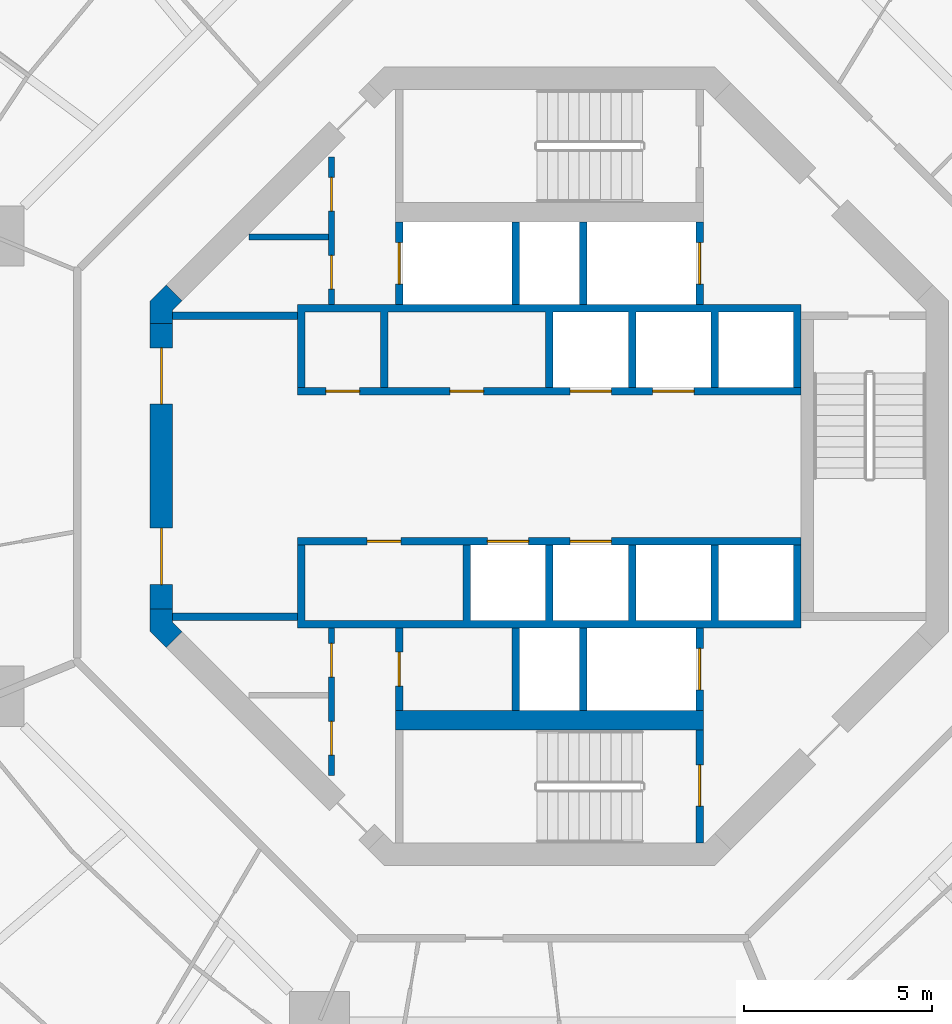
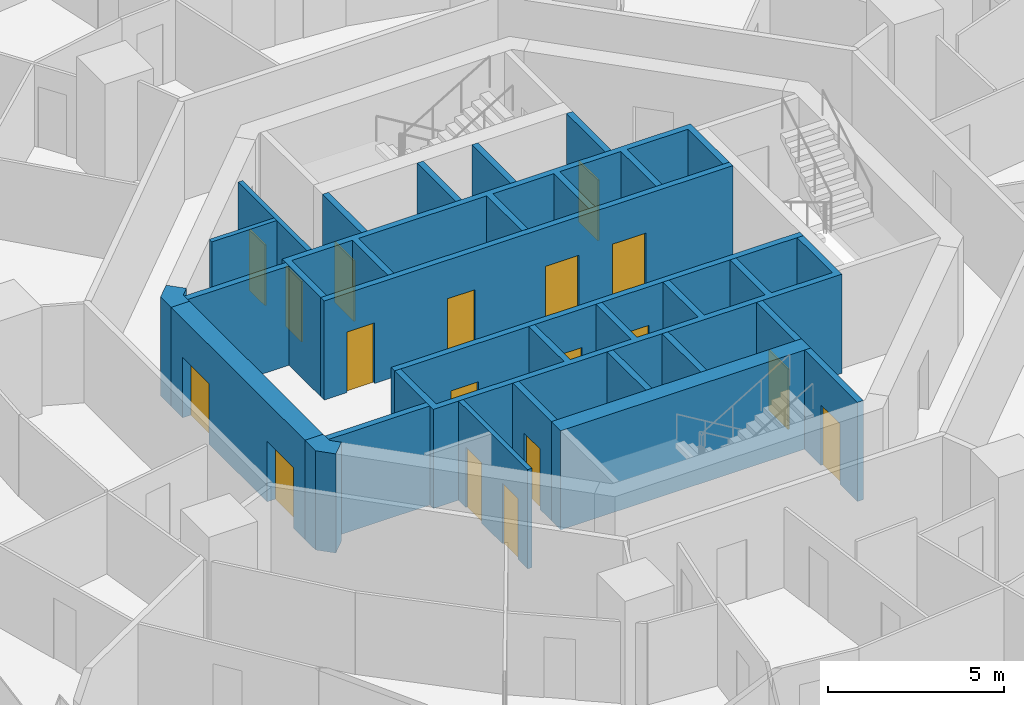
# One storey, part 11 of 18: 22 walls, 18 doors, 18 openings.
"""IFC4 building model written with IfcOpenShell, lengths in metres."""

from ifc_helpers import new_model, si_unit, direction, frame, frame_2d, origin, place, context, subcontext, project, spatial, polyline, rectangle, outline, extrude, material, layer, layer_set, type_object, element, fill, save


model = new_model("IFC4")

# Units and contexts
model_context = context("Model", 3, precision=1e-05, world=origin(), true_north=direction((0.0, 1.0)))
body_context = subcontext(model_context, "Body", "Model", "MODEL_VIEW")
ifc_project = project(units=[si_unit("LENGTHUNIT", "METRE"), si_unit("AREAUNIT", "SQUARE_METRE"), si_unit("VOLUMEUNIT", "CUBIC_METRE"), si_unit("PLANEANGLEUNIT", "RADIAN"), si_unit("MASSUNIT", "GRAM", prefix="KILO")], contexts=[model_context])

# Site, building, storey
site_placement = place(None, origin())
site = spatial("IfcSite", under=ifc_project, at=site_placement, CompositionType="ELEMENT")
building_placement = place(site_placement, origin())
building = spatial("IfcBuilding", under=site, at=building_placement, Name="Nagisa Residences", CompositionType="ELEMENT")
storey_placement = place(building_placement, frame((0.0, 0.0, 245.5)))
storey = spatial("IfcBuildingStorey", under=building, at=storey_placement, Name="L62", CompositionType="ELEMENT", Elevation=245.5)

# Wall, openings, doors
ifc_material_1 = material(Name="Gypsum board on steel studs", Category="steel")
ifc_layer_1 = layer(ifc_material_1, 0.14990234375)
ifc_layer_set_1 = layer_set([ifc_layer_1], Name="Core partition 150")
wall_type_1 = type_object("IfcWallType", Name="Core partition 150", PredefinedType="PARTITIONING", material=ifc_layer_set_1)
wall_1_placement = place(storey_placement, frame((-5.800048828125, 4.300048828125, 0.0), z_axis=(0.0, 0.0, 1.0), x_axis=(0.0, 1.0, 0.0)))
wall_1 = element("IfcWall", 1, at=wall_1_placement, inside=storey, type_object=wall_type_1, Name="wall:L62:NWp", PredefinedType="PARTITIONING", context=body_context, shape_type="SweptSolid", body=[
    extrude(rectangle(XDim=3.927001953125, YDim=0.14990234375, at=frame_2d((1.96337890625, 0.0))), origin(), (0.0, 0.0, 1.0), 3.43994140625),
])
opening_1_placement = place(wall_1_placement, frame((0.41259765625, 0.0, 0.0)))
opening_1 = element("IfcOpeningElement", 2, at=opening_1_placement, cuts=wall_1, Name="Opening L62-C11", PredefinedType="OPENING", context=body_context, shape_type="SweptSolid", body=[
    extrude(rectangle(XDim=0.89990234375, YDim=2.10009765625, at=frame_2d((0.449951171875, 1.050048828125))), frame((0.0, 0.0849609375, 0.0), z_axis=(0.0, -1.0, 0.0), x_axis=(1.0, 0.0, 0.0)), (0.0, 0.0, 1.0), 0.169921875),
])
opening_2_placement = place(wall_1_placement, frame((2.488525390625, 0.0, 0.0)))
opening_2 = element("IfcOpeningElement", 3, at=opening_2_placement, cuts=wall_1, Name="Opening L62-C12", PredefinedType="OPENING", context=body_context, shape_type="SweptSolid", body=[
    extrude(rectangle(XDim=0.89990234375, YDim=2.10009765625, at=frame_2d((0.449951171875, 1.050048828125))), frame((0.0, 0.0849609375, 0.0), z_axis=(0.0, -1.0, 0.0), x_axis=(1.0, 0.0, 0.0)), (0.0, 0.0, 1.0), 0.169921875),
])
ifc_material_2 = material(Name="Steel fire door", Category="steel")
door_type_1 = type_object("IfcDoorType", Name="Fire door EI30 900x2100 single swing", OperationType="NOTDEFINED", PredefinedType="DOOR", material=ifc_material_2)
door_1_placement = place(opening_1_placement, origin())
door_1 = element("IfcDoor", 4, at=door_1_placement, inside=storey, type_object=door_type_1, Name="Electrical room door L62", OperationType="SINGLE_SWING_LEFT", OverallHeight=2.10009765625, OverallWidth=0.89990234375, PredefinedType="DOOR", context=body_context, shape_type="SweptSolid", body=[
    extrude(rectangle(XDim=0.89990234375, YDim=2.10009765625, at=frame_2d((0.449951171875, 1.050048828125))), frame((0.0, 0.02490234375, 0.0), z_axis=(0.0, -1.0, 0.0), x_axis=(1.0, 0.0, 0.0)), (0.0, 0.0, 1.0), 0.050048828125),
])
fill(opening_1, door_1)
door_2_placement = place(opening_2_placement, origin())
door_2 = element("IfcDoor", 5, at=door_2_placement, inside=storey, type_object=door_type_1, Name="Telecom room door L62", OperationType="SINGLE_SWING_LEFT", OverallHeight=2.10009765625, OverallWidth=0.89990234375, PredefinedType="DOOR", context=body_context, shape_type="SweptSolid", body=[
    extrude(rectangle(XDim=0.89990234375, YDim=2.10009765625, at=frame_2d((0.449951171875, 1.050048828125))), frame((0.0, 0.02490234375, 0.0), z_axis=(0.0, -1.0, 0.0), x_axis=(1.0, 0.0, 0.0)), (0.0, 0.0, 1.0), 0.050048828125),
])
fill(opening_2, door_2)

wall_2_placement = place(storey_placement, frame((-5.800048828125, -8.22705078125, 0.0), z_axis=(0.0, 0.0, 1.0), x_axis=(0.0, 1.0, 0.0)))
wall_2 = element("IfcWall", 6, at=wall_2_placement, inside=storey, type_object=wall_type_1, Name="wall:L62:SWp", PredefinedType="PARTITIONING", context=body_context, shape_type="SweptSolid", body=[
    extrude(rectangle(XDim=3.927001953125, YDim=0.14990234375, at=frame_2d((1.96337890625, 0.0))), origin(), (0.0, 0.0, 1.0), 3.43994140625),
])
opening_3_placement = place(wall_2_placement, frame((2.614501953125, 0.0, 0.0)))
opening_3 = element("IfcOpeningElement", 7, at=opening_3_placement, cuts=wall_2, Name="Opening L62-C13", PredefinedType="OPENING", context=body_context, shape_type="SweptSolid", body=[
    extrude(rectangle(XDim=0.89990234375, YDim=2.10009765625, at=frame_2d((0.449951171875, 1.050048828125))), frame((0.0, 0.0849609375, 0.0), z_axis=(0.0, -1.0, 0.0), x_axis=(1.0, 0.0, 0.0)), (0.0, 0.0, 1.0), 0.169921875),
])
opening_4_placement = place(wall_2_placement, frame((0.53857421875, 0.0, 0.0)))
opening_4 = element("IfcOpeningElement", 8, at=opening_4_placement, cuts=wall_2, Name="Opening L62-C14", PredefinedType="OPENING", context=body_context, shape_type="SweptSolid", body=[
    extrude(rectangle(XDim=0.89990234375, YDim=2.10009765625, at=frame_2d((0.449951171875, 1.050048828125))), frame((0.0, 0.0849609375, 0.0), z_axis=(0.0, -1.0, 0.0), x_axis=(1.0, 0.0, 0.0)), (0.0, 0.0, 1.0), 0.169921875),
])
door_3_placement = place(opening_3_placement, origin())
door_3 = element("IfcDoor", 9, at=door_3_placement, inside=storey, type_object=door_type_1, Name="Refuse room door L62", OperationType="SINGLE_SWING_LEFT", OverallHeight=2.10009765625, OverallWidth=0.89990234375, PredefinedType="DOOR", context=body_context, shape_type="SweptSolid", body=[
    extrude(rectangle(XDim=0.89990234375, YDim=2.10009765625, at=frame_2d((0.449951171875, 1.050048828125))), frame((0.0, 0.02490234375, 0.0), z_axis=(0.0, -1.0, 0.0), x_axis=(1.0, 0.0, 0.0)), (0.0, 0.0, 1.0), 0.050048828125),
])
fill(opening_3, door_3)
door_4_placement = place(opening_4_placement, origin())
door_4 = element("IfcDoor", 10, at=door_4_placement, inside=storey, type_object=door_type_1, Name="Hose reel room door L62", OperationType="SINGLE_SWING_LEFT", OverallHeight=2.10009765625, OverallWidth=0.89990234375, PredefinedType="DOOR", context=body_context, shape_type="SweptSolid", body=[
    extrude(rectangle(XDim=0.89990234375, YDim=2.10009765625, at=frame_2d((0.449951171875, 1.050048828125))), frame((0.0, 0.02490234375, 0.0), z_axis=(0.0, -1.0, 0.0), x_axis=(1.0, 0.0, 0.0)), (0.0, 0.0, 1.0), 0.050048828125),
])
fill(opening_4, door_4)

# Walls
wall_3_placement = place(storey_placement, frame((-8.0009765625, 6.10009765625, 0.0), z_axis=(0.0, 0.0, 1.0), x_axis=(1.0, 0.0, 0.0)))
element("IfcWall", 11, at=wall_3_placement, inside=storey, type_object=wall_type_1, Name="wall:L62:NWq", PredefinedType="PARTITIONING", context=body_context, shape_type="SweptSolid", body=[
    extrude(rectangle(XDim=2.1259765625, YDim=0.14990234375, at=frame_2d((1.06298828125, 0.0))), origin(), (0.0, 0.0, 1.0), 3.43994140625),
])
ifc_material_3 = material(Name="Gypsum board on steel studs", Category="steel")
ifc_layer_2 = layer(ifc_material_3, 0.199951171875)
ifc_layer_set_2 = layer_set([ifc_layer_2], Name="Core partition 200")
wall_type_2 = type_object("IfcWallType", Name="Core partition 200", PredefinedType="PARTITIONING", material=ifc_layer_set_2)
for number, where, z_axis, x_axis, name in (
    (12, (-10.024658203125, -4.0, 0.0), (0.0, 0.0, 1.0), (1.0, 0.0, 0.0), "wall:L62:PSW"),
    (13, (-10.024658203125, 4.0, 0.0), (0.0, 0.0, 1.0), (1.0, 0.0, 0.0), "wall:L62:PNW"),
):
    element("IfcWall", number, at=place(storey_placement, frame(where, z_axis=z_axis, x_axis=x_axis)), inside=storey, type_object=wall_type_2, Name=name, PredefinedType="PARTITIONING", context=body_context, shape_type="SweptSolid", body=[
        extrude(rectangle(XDim=3.32470703125, YDim=0.199951171875, at=frame_2d((1.662353515625, 0.0))), origin(), (0.0, 0.0, 1.0), 3.43994140625),
    ])

# Wall, openings, doors
ifc_material_4 = material(Name="Concrete C60", Category="concrete")
ifc_layer_3 = layer(ifc_material_4, 0.60009765625)
ifc_layer_set_3 = layer_set([ifc_layer_3], Name="Core shear wall 600")
wall_type_3 = type_object("IfcWallType", Name="Core shear wall 600", PredefinedType="SHEAR", material=ifc_layer_set_3)
wall_4_placement = place(storey_placement, frame((-10.32470703125, 3.80078125, 0.0), z_axis=(0.0, 0.0, 1.0), x_axis=(0.0, -1.0, 0.0)))
wall_4 = element("IfcWall", 14, at=wall_4_placement, inside=storey, type_object=wall_type_3, Name="wall:L62:core:flat4", PredefinedType="SHEAR", context=body_context, shape_type="SweptSolid", body=[
    extrude(rectangle(XDim=7.6015625, YDim=0.60009765625, at=frame_2d((3.80078125, 0.0))), origin(), (0.0, 0.0, 1.0), 3.43994140625),
])
opening_5_placement = place(wall_4_placement, frame((0.65087890625, 0.0, 0.0)))
opening_5 = element("IfcOpeningElement", 15, at=opening_5_placement, cuts=wall_4, Name="Opening L62-C21", PredefinedType="OPENING", context=body_context, shape_type="SweptSolid", body=[
    extrude(rectangle(XDim=1.5, YDim=2.10009765625, at=frame_2d((0.75, 1.050048828125))), frame((0.0, 0.31005859375, 0.0), z_axis=(0.0, -1.0, 0.0), x_axis=(1.0, 0.0, 0.0)), (0.0, 0.0, 1.0), 0.6201171875),
])
opening_6_placement = place(wall_4_placement, frame((5.450927734375, 0.0, 0.0)))
opening_6 = element("IfcOpeningElement", 16, at=opening_6_placement, cuts=wall_4, Name="Opening L62-C22", PredefinedType="OPENING", context=body_context, shape_type="SweptSolid", body=[
    extrude(rectangle(XDim=1.5, YDim=2.10009765625, at=frame_2d((0.75, 1.050048828125))), frame((0.0, 0.31005859375, 0.0), z_axis=(0.0, -1.0, 0.0), x_axis=(1.0, 0.0, 0.0)), (0.0, 0.0, 1.0), 0.6201171875),
])
ifc_material_5 = material(Name="Steel fire door", Category="steel")
door_type_2 = type_object("IfcDoorType", Name="Fire door EI60 1500x2100 double door single swing", OperationType="DOUBLE_DOOR_SINGLE_SWING", PredefinedType="DOOR", material=ifc_material_5)
door_5_placement = place(opening_5_placement, origin())
door_5 = element("IfcDoor", 17, at=door_5_placement, inside=storey, type_object=door_type_2, Name="Lift lobby door L62 1", OperationType="DOUBLE_DOOR_SINGLE_SWING", OverallHeight=2.10009765625, OverallWidth=1.5, PredefinedType="DOOR", context=body_context, shape_type="SweptSolid", body=[
    extrude(rectangle(XDim=1.5, YDim=2.10009765625, at=frame_2d((0.75, 1.050048828125))), frame((0.0, 0.02490234375, 0.0), z_axis=(0.0, -1.0, 0.0), x_axis=(1.0, 0.0, 0.0)), (0.0, 0.0, 1.0), 0.050048828125),
])
fill(opening_5, door_5)
door_6_placement = place(opening_6_placement, origin())
door_6 = element("IfcDoor", 18, at=door_6_placement, inside=storey, type_object=door_type_2, Name="Lift lobby door L62 2", OperationType="DOUBLE_DOOR_SINGLE_SWING", OverallHeight=2.10009765625, OverallWidth=1.5, PredefinedType="DOOR", context=body_context, shape_type="SweptSolid", body=[
    extrude(rectangle(XDim=1.5, YDim=2.10009765625, at=frame_2d((0.75, 1.050048828125))), frame((0.0, 0.02490234375, 0.0), z_axis=(0.0, -1.0, 0.0), x_axis=(1.0, 0.0, 0.0)), (0.0, 0.0, 1.0), 0.050048828125),
])
fill(opening_6, door_6)

# Walls
wall_5_placement = place(storey_placement, origin())
element("IfcWall", 19, at=wall_5_placement, inside=storey, type_object=wall_type_3, Name="wall:L62:core:pier4", PredefinedType="SHEAR", context=body_context, shape_type="SweptSolid", body=[
    extrude(outline(polyline([(-10.62451171875, -3.80078125), (-10.024658203125, -3.80078125), (-10.024658203125, -4.15234375), (-9.776123046875, -4.40087890625), (-10.200439453125, -4.8251953125), (-10.62451171875, -4.40087890625), (-10.62451171875, -3.80078125)])), origin(), (0.0, 0.0, 1.0), 3.43994140625),
])
wall_6_placement = place(storey_placement, origin())
element("IfcWall", 20, at=wall_6_placement, inside=storey, type_object=wall_type_3, Name="wall:L62:core:pier3", PredefinedType="SHEAR", context=body_context, shape_type="SweptSolid", body=[
    extrude(outline(polyline([(-10.200439453125, 4.8251953125), (-9.776123046875, 4.40087890625), (-10.024658203125, 4.15234375), (-10.024658203125, 3.80078125), (-10.62451171875, 3.80078125), (-10.62451171875, 4.40087890625), (-10.200439453125, 4.8251953125)])), origin(), (0.0, 0.0, 1.0), 3.43994140625),
])

# Wall, opening, door
ifc_material_6 = material(Name="Concrete C60", Category="concrete")
ifc_layer_4 = layer(ifc_material_6, 0.199951171875)
ifc_layer_set_4 = layer_set([ifc_layer_4], Name="Lift shaft wall 200")
wall_type_4 = type_object("IfcWallType", Name="Lift shaft wall 200", PredefinedType="SOLIDWALL", material=ifc_layer_set_4)
wall_7_placement = place(storey_placement, frame((4.0, 4.300048828125, 0.0), z_axis=(0.0, 0.0, 1.0), x_axis=(0.0, 1.0, 0.0)))
wall_7 = element("IfcWall", 21, at=wall_7_placement, inside=storey, type_object=wall_type_4, Name="wall:L62:Nb3", PredefinedType="SOLIDWALL", context=body_context, shape_type="SweptSolid", body=[
    extrude(rectangle(XDim=2.199951171875, YDim=0.199951171875, at=frame_2d((1.10009765625, 0.0))), origin(), (0.0, 0.0, 1.0), 3.43994140625),
])
opening_7_placement = place(wall_7_placement, frame((0.550048828125, 0.0, 0.0)))
opening_7 = element("IfcOpeningElement", 22, at=opening_7_placement, cuts=wall_7, Name="Opening L62-C05", PredefinedType="OPENING", context=body_context, shape_type="SweptSolid", body=[
    extrude(rectangle(XDim=1.10009765625, YDim=2.10009765625, at=frame_2d((0.550048828125, 1.050048828125))), frame((0.0, 0.10986328125, 0.0), z_axis=(0.0, -1.0, 0.0), x_axis=(1.0, 0.0, 0.0)), (0.0, 0.0, 1.0), 0.219970703125),
])
ifc_material_7 = material(Name="Stainless steel", Category="steel")
door_type_3 = type_object("IfcDoorType", Name="Lift landing door 1100x2100", OperationType="DOUBLE_DOOR_SLIDING", PredefinedType="DOOR", material=ifc_material_7)
door_7_placement = place(opening_7_placement, origin())
door_7 = element("IfcDoor", 23, at=door_7_placement, inside=storey, type_object=door_type_3, Name="Landing door FL1 L62", OperationType="DOUBLE_DOOR_SLIDING", OverallHeight=2.10009765625, OverallWidth=1.10009765625, PredefinedType="DOOR", context=body_context, shape_type="SweptSolid", body=[
    extrude(rectangle(XDim=1.10009765625, YDim=2.10009765625, at=frame_2d((0.550048828125, 1.050048828125))), frame((0.0, 0.02490234375, 0.0), z_axis=(0.0, -1.0, 0.0), x_axis=(1.0, 0.0, 0.0)), (0.0, 0.0, 1.0), 0.050048828125),
])
fill(opening_7, door_7)

wall_8_placement = place(storey_placement, frame((-4.0, 4.300048828125, 0.0), z_axis=(0.0, 0.0, 1.0), x_axis=(0.0, 1.0, 0.0)))
wall_8 = element("IfcWall", 24, at=wall_8_placement, inside=storey, type_object=wall_type_4, Name="wall:L62:Nb4", PredefinedType="SOLIDWALL", context=body_context, shape_type="SweptSolid", body=[
    extrude(rectangle(XDim=2.199951171875, YDim=0.199951171875, at=frame_2d((1.10009765625, 0.0))), origin(), (0.0, 0.0, 1.0), 3.43994140625),
])
opening_8_placement = place(wall_8_placement, frame((0.550048828125, 0.0, 0.0)))
opening_8 = element("IfcOpeningElement", 25, at=opening_8_placement, cuts=wall_8, Name="Opening L62-C07", PredefinedType="OPENING", context=body_context, shape_type="SweptSolid", body=[
    extrude(rectangle(XDim=1.10009765625, YDim=2.10009765625, at=frame_2d((0.550048828125, 1.050048828125))), frame((0.0, 0.10986328125, 0.0), z_axis=(0.0, -1.0, 0.0), x_axis=(1.0, 0.0, 0.0)), (0.0, 0.0, 1.0), 0.219970703125),
])
door_8_placement = place(opening_8_placement, origin())
door_8 = element("IfcDoor", 26, at=door_8_placement, inside=storey, type_object=door_type_3, Name="Landing door SV L62", OperationType="DOUBLE_DOOR_SLIDING", OverallHeight=2.10009765625, OverallWidth=1.10009765625, PredefinedType="DOOR", context=body_context, shape_type="SweptSolid", body=[
    extrude(rectangle(XDim=1.10009765625, YDim=2.10009765625, at=frame_2d((0.550048828125, 1.050048828125))), frame((0.0, 0.02490234375, 0.0), z_axis=(0.0, -1.0, 0.0), x_axis=(1.0, 0.0, 0.0)), (0.0, 0.0, 1.0), 0.050048828125),
])
fill(opening_8, door_8)

# Wall, openings, doors
wall_9_placement = place(storey_placement, frame((-6.699951171875, 2.0, 0.0), z_axis=(0.0, 0.0, 1.0), x_axis=(1.0, 0.0, 0.0)))
wall_9 = element("IfcWall", 27, at=wall_9_placement, inside=storey, type_object=wall_type_4, Name="wall:L62:Nfront", PredefinedType="SOLIDWALL", context=body_context, shape_type="SweptSolid", body=[
    extrude(rectangle(XDim=13.39990234375, YDim=0.199951171875, at=frame_2d((6.699951171875, 0.0))), origin(), (0.0, 0.0, 1.0), 3.43994140625),
])
opening_9_placement = place(wall_9_placement, frame((7.25, 0.0, 0.0)))
opening_9 = element("IfcOpeningElement", 28, at=opening_9_placement, cuts=wall_9, Name="Opening L62-C01", PredefinedType="OPENING", context=body_context, shape_type="SweptSolid", body=[
    extrude(rectangle(XDim=1.10009765625, YDim=2.10009765625, at=frame_2d((0.550048828125, 1.050048828125))), frame((0.0, 0.10986328125, 0.0), z_axis=(0.0, -1.0, 0.0), x_axis=(1.0, 0.0, 0.0)), (0.0, 0.0, 1.0), 0.219970703125),
])
opening_10_placement = place(wall_9_placement, frame((9.449951171875, 0.0, 0.0)))
opening_10 = element("IfcOpeningElement", 29, at=opening_10_placement, cuts=wall_9, Name="Opening L62-C02", PredefinedType="OPENING", context=body_context, shape_type="SweptSolid", body=[
    extrude(rectangle(XDim=1.10009765625, YDim=2.10009765625, at=frame_2d((0.550048828125, 1.050048828125))), frame((0.0, 0.10986328125, 0.0), z_axis=(0.0, -1.0, 0.0), x_axis=(1.0, 0.0, 0.0)), (0.0, 0.0, 1.0), 0.219970703125),
])
opening_11_placement = place(wall_9_placement, frame((0.75, 0.0, 0.0)))
opening_11 = element("IfcOpeningElement", 30, at=opening_11_placement, cuts=wall_9, Name="Opening L62-C16", PredefinedType="OPENING", context=body_context, shape_type="SweptSolid", body=[
    extrude(rectangle(XDim=0.89990234375, YDim=2.10009765625, at=frame_2d((0.449951171875, 1.050048828125))), frame((0.0, 0.10986328125, 0.0), z_axis=(0.0, -1.0, 0.0), x_axis=(1.0, 0.0, 0.0)), (0.0, 0.0, 1.0), 0.219970703125),
])
opening_12_placement = place(wall_9_placement, frame((4.050048828125, 0.0, 0.0)))
opening_12 = element("IfcOpeningElement", 31, at=opening_12_placement, cuts=wall_9, Name="Opening L62-C17", PredefinedType="OPENING", context=body_context, shape_type="SweptSolid", body=[
    extrude(rectangle(XDim=0.89990234375, YDim=2.10009765625, at=frame_2d((0.449951171875, 1.050048828125))), frame((0.0, 0.10986328125, 0.0), z_axis=(0.0, -1.0, 0.0), x_axis=(1.0, 0.0, 0.0)), (0.0, 0.0, 1.0), 0.219970703125),
])
door_9_placement = place(opening_11_placement, origin())
door_9 = element("IfcDoor", 32, at=door_9_placement, inside=storey, type_object=door_type_1, Name="Package room door L62", OperationType="SINGLE_SWING_RIGHT", OverallHeight=2.10009765625, OverallWidth=0.89990234375, PredefinedType="DOOR", context=body_context, shape_type="SweptSolid", body=[
    extrude(rectangle(XDim=0.89990234375, YDim=2.10009765625, at=frame_2d((0.449951171875, 1.050048828125))), frame((0.0, 0.02490234375, 0.0), z_axis=(0.0, -1.0, 0.0), x_axis=(1.0, 0.0, 0.0)), (0.0, 0.0, 1.0), 0.050048828125),
])
fill(opening_11, door_9)
door_10_placement = place(opening_12_placement, origin())
door_10 = element("IfcDoor", 33, at=door_10_placement, inside=storey, type_object=door_type_1, Name="Linen store door L62", OperationType="SINGLE_SWING_RIGHT", OverallHeight=2.10009765625, OverallWidth=0.89990234375, PredefinedType="DOOR", context=body_context, shape_type="SweptSolid", body=[
    extrude(rectangle(XDim=0.89990234375, YDim=2.10009765625, at=frame_2d((0.449951171875, 1.050048828125))), frame((0.0, 0.02490234375, 0.0), z_axis=(0.0, -1.0, 0.0), x_axis=(1.0, 0.0, 0.0)), (0.0, 0.0, 1.0), 0.050048828125),
])
fill(opening_12, door_10)
door_11_placement = place(opening_9_placement, origin())
door_11 = element("IfcDoor", 34, at=door_11_placement, inside=storey, type_object=door_type_3, Name="Landing door B1 L62", OperationType="DOUBLE_DOOR_SLIDING", OverallHeight=2.10009765625, OverallWidth=1.10009765625, PredefinedType="DOOR", context=body_context, shape_type="SweptSolid", body=[
    extrude(rectangle(XDim=1.10009765625, YDim=2.10009765625, at=frame_2d((0.550048828125, 1.050048828125))), frame((0.0, 0.02490234375, 0.0), z_axis=(0.0, -1.0, 0.0), x_axis=(1.0, 0.0, 0.0)), (0.0, 0.0, 1.0), 0.050048828125),
])
fill(opening_9, door_11)
door_12_placement = place(opening_10_placement, origin())
door_12 = element("IfcDoor", 35, at=door_12_placement, inside=storey, type_object=door_type_3, Name="Landing door B2 L62", OperationType="DOUBLE_DOOR_SLIDING", OverallHeight=2.10009765625, OverallWidth=1.10009765625, PredefinedType="DOOR", context=body_context, shape_type="SweptSolid", body=[
    extrude(rectangle(XDim=1.10009765625, YDim=2.10009765625, at=frame_2d((0.550048828125, 1.050048828125))), frame((0.0, 0.02490234375, 0.0), z_axis=(0.0, -1.0, 0.0), x_axis=(1.0, 0.0, 0.0)), (0.0, 0.0, 1.0), 0.050048828125),
])
fill(opening_10, door_12)

# Wall, opening, door
wall_10_placement = place(storey_placement, frame((4.0, -6.5, 0.0), z_axis=(0.0, 0.0, 1.0), x_axis=(0.0, 1.0, 0.0)))
wall_10 = element("IfcWall", 36, at=wall_10_placement, inside=storey, type_object=wall_type_4, Name="wall:L62:Sb3", PredefinedType="SOLIDWALL", context=body_context, shape_type="SweptSolid", body=[
    extrude(rectangle(XDim=2.199951171875, YDim=0.199951171875, at=frame_2d((1.10009765625, 0.0))), origin(), (0.0, 0.0, 1.0), 3.43994140625),
])
opening_13_placement = place(wall_10_placement, frame((0.550048828125, 0.0, 0.0)))
opening_13 = element("IfcOpeningElement", 37, at=opening_13_placement, cuts=wall_10, Name="Opening L62-C06", PredefinedType="OPENING", context=body_context, shape_type="SweptSolid", body=[
    extrude(rectangle(XDim=1.10009765625, YDim=2.10009765625, at=frame_2d((0.550048828125, 1.050048828125))), frame((0.0, 0.10986328125, 0.0), z_axis=(0.0, -1.0, 0.0), x_axis=(1.0, 0.0, 0.0)), (0.0, 0.0, 1.0), 0.219970703125),
])
door_13_placement = place(opening_13_placement, origin())
door_13 = element("IfcDoor", 38, at=door_13_placement, inside=storey, type_object=door_type_3, Name="Landing door FL2 L62", OperationType="DOUBLE_DOOR_SLIDING", OverallHeight=2.10009765625, OverallWidth=1.10009765625, PredefinedType="DOOR", context=body_context, shape_type="SweptSolid", body=[
    extrude(rectangle(XDim=1.10009765625, YDim=2.10009765625, at=frame_2d((0.550048828125, 1.050048828125))), frame((0.0, 0.02490234375, 0.0), z_axis=(0.0, -1.0, 0.0), x_axis=(1.0, 0.0, 0.0)), (0.0, 0.0, 1.0), 0.050048828125),
])
fill(opening_13, door_13)

wall_11_placement = place(storey_placement, frame((-4.0, -6.5, 0.0), z_axis=(0.0, 0.0, 1.0), x_axis=(0.0, 1.0, 0.0)))
wall_11 = element("IfcWall", 39, at=wall_11_placement, inside=storey, type_object=wall_type_4, Name="wall:L62:Sb4", PredefinedType="SOLIDWALL", context=body_context, shape_type="SweptSolid", body=[
    extrude(rectangle(XDim=2.199951171875, YDim=0.199951171875, at=frame_2d((1.10009765625, 0.0))), origin(), (0.0, 0.0, 1.0), 3.43994140625),
])
opening_14_placement = place(wall_11_placement, frame((0.64990234375, 0.0, 0.0)))
opening_14 = element("IfcOpeningElement", 40, at=opening_14_placement, cuts=wall_11, Name="Opening L62-C15", PredefinedType="OPENING", context=body_context, shape_type="SweptSolid", body=[
    extrude(rectangle(XDim=0.89990234375, YDim=2.10009765625, at=frame_2d((0.449951171875, 1.050048828125))), frame((0.0, 0.10986328125, 0.0), z_axis=(0.0, -1.0, 0.0), x_axis=(1.0, 0.0, 0.0)), (0.0, 0.0, 1.0), 0.219970703125),
])
door_14_placement = place(opening_14_placement, frame((0.89990234375, 0.0, 0.0), x_axis=(-1.0, 0.0, 0.0)))
door_14 = element("IfcDoor", 41, at=door_14_placement, inside=storey, type_object=door_type_1, Name="Refuse room door L62", OperationType="SINGLE_SWING_LEFT", OverallHeight=2.10009765625, OverallWidth=0.89990234375, PredefinedType="DOOR", context=body_context, shape_type="SweptSolid", body=[
    extrude(rectangle(XDim=0.89990234375, YDim=2.10009765625, at=frame_2d((0.449951171875, 1.050048828125))), frame((0.0, 0.02490234375, 0.0), z_axis=(0.0, -1.0, 0.0), x_axis=(1.0, 0.0, 0.0)), (0.0, 0.0, 1.0), 0.050048828125),
])
fill(opening_14, door_14)

# Wall, openings, doors
wall_12_placement = place(storey_placement, frame((-6.699951171875, -2.0, 0.0), z_axis=(0.0, 0.0, 1.0), x_axis=(1.0, 0.0, 0.0)))
wall_12 = element("IfcWall", 42, at=wall_12_placement, inside=storey, type_object=wall_type_4, Name="wall:L62:Sfront", PredefinedType="SOLIDWALL", context=body_context, shape_type="SweptSolid", body=[
    extrude(rectangle(XDim=13.39990234375, YDim=0.199951171875, at=frame_2d((6.699951171875, 0.0))), origin(), (0.0, 0.0, 1.0), 3.43994140625),
])
opening_15_placement = place(wall_12_placement, frame((5.050048828125, 0.0, 0.0)))
opening_15 = element("IfcOpeningElement", 43, at=opening_15_placement, cuts=wall_12, Name="Opening L62-C03", PredefinedType="OPENING", context=body_context, shape_type="SweptSolid", body=[
    extrude(rectangle(XDim=1.10009765625, YDim=2.10009765625, at=frame_2d((0.550048828125, 1.050048828125))), frame((0.0, 0.10986328125, 0.0), z_axis=(0.0, -1.0, 0.0), x_axis=(1.0, 0.0, 0.0)), (0.0, 0.0, 1.0), 0.219970703125),
])
opening_16_placement = place(wall_12_placement, frame((7.25, 0.0, 0.0)))
opening_16 = element("IfcOpeningElement", 44, at=opening_16_placement, cuts=wall_12, Name="Opening L62-C04", PredefinedType="OPENING", context=body_context, shape_type="SweptSolid", body=[
    extrude(rectangle(XDim=1.10009765625, YDim=2.10009765625, at=frame_2d((0.550048828125, 1.050048828125))), frame((0.0, 0.10986328125, 0.0), z_axis=(0.0, -1.0, 0.0), x_axis=(1.0, 0.0, 0.0)), (0.0, 0.0, 1.0), 0.219970703125),
])
opening_17_placement = place(wall_12_placement, frame((1.85009765625, 0.0, 0.0)))
opening_17 = element("IfcOpeningElement", 45, at=opening_17_placement, cuts=wall_12, Name="Opening L62-C18", PredefinedType="OPENING", context=body_context, shape_type="SweptSolid", body=[
    extrude(rectangle(XDim=0.89990234375, YDim=2.10009765625, at=frame_2d((0.449951171875, 1.050048828125))), frame((0.0, 0.10986328125, 0.0), z_axis=(0.0, -1.0, 0.0), x_axis=(1.0, 0.0, 0.0)), (0.0, 0.0, 1.0), 0.219970703125),
])
door_15_placement = place(opening_17_placement, frame((0.89990234375, 0.0, 0.0), x_axis=(-1.0, 0.0, 0.0)))
door_15 = element("IfcDoor", 46, at=door_15_placement, inside=storey, type_object=door_type_1, Name="Tea preparation door L62", OperationType="SINGLE_SWING_LEFT", OverallHeight=2.10009765625, OverallWidth=0.89990234375, PredefinedType="DOOR", context=body_context, shape_type="SweptSolid", body=[
    extrude(rectangle(XDim=0.89990234375, YDim=2.10009765625, at=frame_2d((0.449951171875, 1.050048828125))), frame((0.0, 0.02490234375, 0.0), z_axis=(0.0, -1.0, 0.0), x_axis=(1.0, 0.0, 0.0)), (0.0, 0.0, 1.0), 0.050048828125),
])
fill(opening_17, door_15)
door_16_placement = place(opening_15_placement, origin())
door_16 = element("IfcDoor", 47, at=door_16_placement, inside=storey, type_object=door_type_3, Name="Landing door B3 L62", OperationType="DOUBLE_DOOR_SLIDING", OverallHeight=2.10009765625, OverallWidth=1.10009765625, PredefinedType="DOOR", context=body_context, shape_type="SweptSolid", body=[
    extrude(rectangle(XDim=1.10009765625, YDim=2.10009765625, at=frame_2d((0.550048828125, 1.050048828125))), frame((0.0, 0.02490234375, 0.0), z_axis=(0.0, -1.0, 0.0), x_axis=(1.0, 0.0, 0.0)), (0.0, 0.0, 1.0), 0.050048828125),
])
fill(opening_15, door_16)
door_17_placement = place(opening_16_placement, origin())
door_17 = element("IfcDoor", 48, at=door_17_placement, inside=storey, type_object=door_type_3, Name="Landing door B4 L62", OperationType="DOUBLE_DOOR_SLIDING", OverallHeight=2.10009765625, OverallWidth=1.10009765625, PredefinedType="DOOR", context=body_context, shape_type="SweptSolid", body=[
    extrude(rectangle(XDim=1.10009765625, YDim=2.10009765625, at=frame_2d((0.550048828125, 1.050048828125))), frame((0.0, 0.02490234375, 0.0), z_axis=(0.0, -1.0, 0.0), x_axis=(1.0, 0.0, 0.0)), (0.0, 0.0, 1.0), 0.050048828125),
])
fill(opening_16, door_17)

# Walls
for number, where, z_axis, x_axis, name in (
    (49, (-0.89990234375, 4.300048828125, 0.0), (0.0, 0.0, 1.0), (0.0, 1.0, 0.0), "wall:L62:Nb1"),
    (50, (0.89990234375, 4.300048828125, 0.0), (0.0, 0.0, 1.0), (0.0, 1.0, 0.0), "wall:L62:Nb2"),
):
    element("IfcWall", number, at=place(storey_placement, frame(where, z_axis=z_axis, x_axis=x_axis)), inside=storey, type_object=wall_type_4, Name=name, PredefinedType="SOLIDWALL", context=body_context, shape_type="SweptSolid", body=[
        extrude(rectangle(XDim=2.199951171875, YDim=0.199951171875, at=frame_2d((1.10009765625, 0.0))), origin(), (0.0, 0.0, 1.0), 3.43994140625),
    ])
wall_13_placement = place(storey_placement, origin())
element("IfcWall", 51, at=wall_13_placement, inside=storey, type_object=wall_type_4, Name="wall:L62:Nback", PredefinedType="SOLIDWALL", context=body_context, shape_type="SweptSolid", body=[
    extrude(outline(polyline([(-6.699951171875, 4.300048828125), (6.699951171875, 4.300048828125), (6.699951171875, 2.10009765625), (6.5, 2.10009765625), (6.5, 4.10009765625), (4.5, 4.10009765625), (4.5, 2.10009765625), (4.300048828125, 2.10009765625), (4.300048828125, 4.10009765625), (2.300048828125, 4.10009765625), (2.300048828125, 2.10009765625), (2.10009765625, 2.10009765625), (2.10009765625, 4.10009765625), (0.10009765625, 4.10009765625), (0.10009765625, 2.10009765625), (-0.10009765625, 2.10009765625), (-0.10009765625, 4.10009765625), (-4.300048828125, 4.10009765625), (-4.300048828125, 2.10009765625), (-4.5, 2.10009765625), (-4.5, 4.10009765625), (-6.5, 4.10009765625), (-6.5, 2.10009765625), (-6.699951171875, 2.10009765625), (-6.699951171875, 4.300048828125)])), origin(), (0.0, 0.0, 1.0), 3.43994140625),
])
for number, where, z_axis, x_axis, name in (
    (52, (-0.89990234375, -6.5, 0.0), (0.0, 0.0, 1.0), (0.0, 1.0, 0.0), "wall:L62:Sb1"),
    (53, (0.89990234375, -6.5, 0.0), (0.0, 0.0, 1.0), (0.0, 1.0, 0.0), "wall:L62:Sb2"),
):
    element("IfcWall", number, at=place(storey_placement, frame(where, z_axis=z_axis, x_axis=x_axis)), inside=storey, type_object=wall_type_4, Name=name, PredefinedType="SOLIDWALL", context=body_context, shape_type="SweptSolid", body=[
        extrude(rectangle(XDim=2.199951171875, YDim=0.199951171875, at=frame_2d((1.10009765625, 0.0))), origin(), (0.0, 0.0, 1.0), 3.43994140625),
    ])
wall_14_placement = place(storey_placement, origin())
element("IfcWall", 54, at=wall_14_placement, inside=storey, type_object=wall_type_4, Name="wall:L62:Sback", PredefinedType="SOLIDWALL", context=body_context, shape_type="SweptSolid", body=[
    extrude(outline(polyline([(-6.699951171875, -2.10009765625), (-6.5, -2.10009765625), (-6.5, -4.10009765625), (-2.300048828125, -4.10009765625), (-2.300048828125, -2.10009765625), (-2.10009765625, -2.10009765625), (-2.10009765625, -4.10009765625), (-0.10009765625, -4.10009765625), (-0.10009765625, -2.10009765625), (0.10009765625, -2.10009765625), (0.10009765625, -4.10009765625), (2.10009765625, -4.10009765625), (2.10009765625, -2.10009765625), (2.300048828125, -2.10009765625), (2.300048828125, -4.10009765625), (4.300048828125, -4.10009765625), (4.300048828125, -2.10009765625), (4.5, -2.10009765625), (4.5, -4.10009765625), (6.5, -4.10009765625), (6.5, -2.10009765625), (6.699951171875, -2.10009765625), (6.699951171875, -4.300048828125), (-6.699951171875, -4.300048828125), (-6.699951171875, -2.10009765625)])), origin(), (0.0, 0.0, 1.0), 3.43994140625),
])

# Wall, opening, door
ifc_material_8 = material(Name="Concrete C60", Category="concrete")
ifc_layer_5 = layer(ifc_material_8, 0.199951171875)
ifc_layer_set_5 = layer_set([ifc_layer_5], Name="Stair enclosure wall 200")
wall_type_5 = type_object("IfcWallType", Name="Stair enclosure wall 200", PredefinedType="SOLIDWALL", material=ifc_layer_set_5)
wall_15_placement = place(storey_placement, frame((4.0, -10.024658203125, 0.0), z_axis=(0.0, 0.0, 1.0), x_axis=(0.0, 1.0, 0.0)))
wall_15 = element("IfcWall", 55, at=wall_15_placement, inside=storey, type_object=wall_type_5, Name="wall:L62:SS_e", PredefinedType="SOLIDWALL", context=body_context, shape_type="SweptSolid", body=[
    extrude(rectangle(XDim=3.0, YDim=0.199951171875, at=frame_2d((1.5, 0.0))), origin(), (0.0, 0.0, 1.0), 3.43994140625),
])
opening_18_placement = place(wall_15_placement, frame((0.974609375, 0.0, 0.0)))
opening_18 = element("IfcOpeningElement", 56, at=opening_18_placement, cuts=wall_15, Name="Opening L62-C10", PredefinedType="OPENING", context=body_context, shape_type="SweptSolid", body=[
    extrude(rectangle(XDim=1.10009765625, YDim=2.10009765625, at=frame_2d((0.550048828125, 1.050048828125))), frame((0.0, 0.10986328125, 0.0), z_axis=(0.0, -1.0, 0.0), x_axis=(1.0, 0.0, 0.0)), (0.0, 0.0, 1.0), 0.219970703125),
])
ifc_material_9 = material(Name="Steel fire door", Category="steel")
door_type_4 = type_object("IfcDoorType", Name="Fire door EI90 1100x2100 single swing", OperationType="NOTDEFINED", PredefinedType="DOOR", material=ifc_material_9)
door_18_placement = place(opening_18_placement, origin())
door_18 = element("IfcDoor", 57, at=door_18_placement, inside=storey, type_object=door_type_4, Name="Stair door ST-S L62", OperationType="SINGLE_SWING_LEFT", OverallHeight=2.10009765625, OverallWidth=1.10009765625, PredefinedType="DOOR", context=body_context, shape_type="SweptSolid", body=[
    extrude(rectangle(XDim=1.10009765625, YDim=2.10009765625, at=frame_2d((0.550048828125, 1.050048828125))), frame((0.0, 0.02490234375, 0.0), z_axis=(0.0, -1.0, 0.0), x_axis=(1.0, 0.0, 0.0)), (0.0, 0.0, 1.0), 0.050048828125),
])
fill(opening_18, door_18)

# Wall
wall_16_placement = place(storey_placement, origin())
element("IfcWall", 58, at=wall_16_placement, inside=storey, type_object=wall_type_5, Name="wall:L62:SS_n", PredefinedType="SOLIDWALL", context=body_context, shape_type="SweptSolid", body=[
    extrude(outline(polyline([(4.10009765625, -7.024658203125), (-4.10009765625, -7.024658203125), (-4.10009765625, -6.5), (4.10009765625, -6.5), (4.10009765625, -7.024658203125)])), origin(), (0.0, 0.0, 1.0), 3.43994140625),
])

save(model, "model.ifc")
